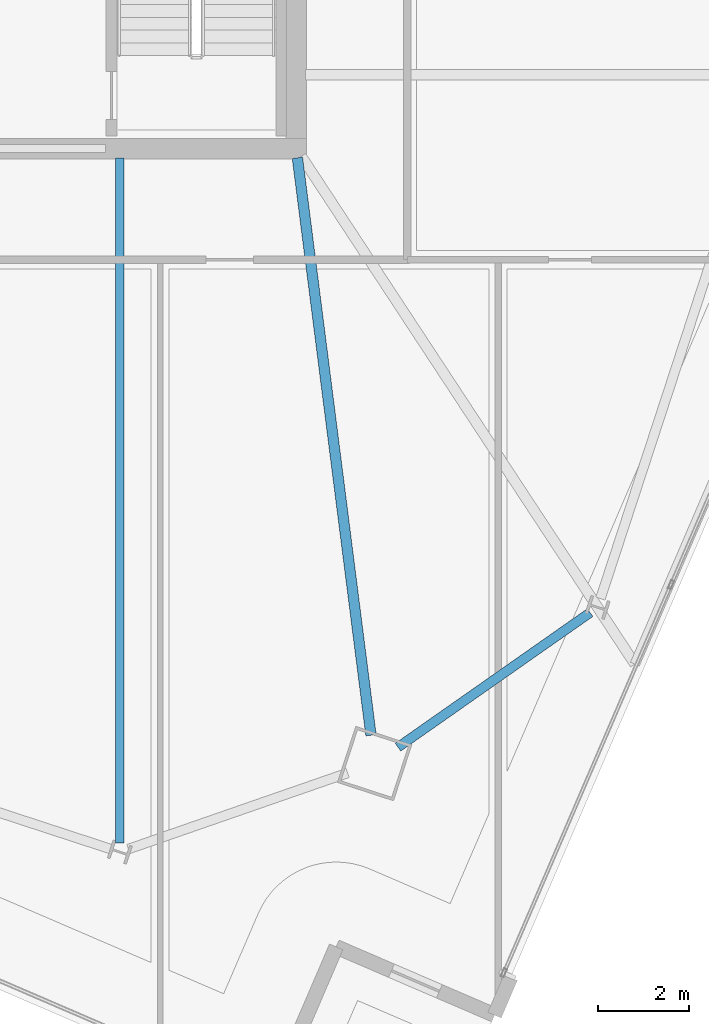
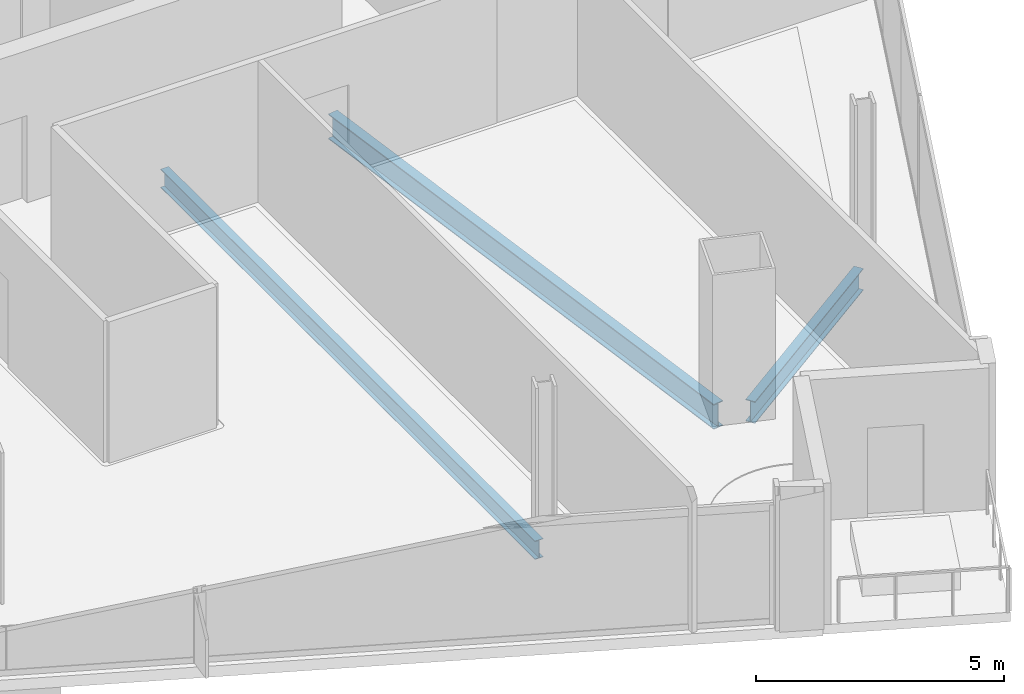
# One storey, part 9 of 28: 3 beams.
"""IFC4 building model written with IfcOpenShell, lengths in metres."""

import ifcopenshell
import ifcopenshell.guid

model = None  # the IFC model being written
_history = None  # IfcOwnerHistory: only IFC2X3 demands one
_inside = {}  # id of a spatial element -> (the spatial element, [elements in it])
_under = {}  # id of a project, library or spatial element -> (it, [spatial elements below it])
_declared = {}  # id of a project -> (the project, [libraries it declares])
_typed = {}  # id of a type object -> (the type object, [elements of that type])
_made_of = {}  # id of a material, layer set ... -> (it, [elements and type objects made of it])


def new_model(schema):
    """Start an empty IFC model of exactly this schema.

    Asked for "IFC4X3", IfcOpenShell would pick the latest addendum, in which some entities
    have other attributes; the version numbers below select the first issue.
    IFC2X3 requires an IfcOwnerHistory on every rooted entity: one is made here for all.
    """
    global model, _history
    if schema == "IFC4X3":
        model = ifcopenshell.file(schema_version=(4, 3, 0, 0))
    else:
        model = ifcopenshell.file(schema=schema)
    _inside.clear()
    _under.clear()
    _declared.clear()
    _typed.clear()
    _made_of.clear()
    _history = None
    if model.schema == "IFC2X3":
        org = make("IfcOrganization", Name="unknown")
        user = make(
            "IfcPersonAndOrganization",
            ThePerson=make("IfcPerson", FamilyName="unknown"),
            TheOrganization=org,
        )
        app = make(
            "IfcApplication",
            ApplicationDeveloper=org,
            Version="unknown",
            ApplicationFullName="unknown",
            ApplicationIdentifier="unknown",
        )
        _history = make(
            "IfcOwnerHistory",
            OwningUser=user,
            OwningApplication=app,
            ChangeAction="ADDED",
            CreationDate=0,
        )
    return model


def make(cls, **values):
    """One entity of the class cls with the attributes given. An attribute that is None is left unset."""
    return model.create_entity(
        cls, **{name: value for name, value in values.items() if value is not None}
    )


def rooted(cls, **values):
    """An entity with a GlobalId (a new one), such as an element, a storey or a relation."""
    return make(cls, GlobalId=ifcopenshell.guid.new(), OwnerHistory=_history, **values)


def si_unit(unit_type, name, prefix=None):
    """IfcSIUnit, for example si_unit("LENGTHUNIT", "METRE", prefix="MILLI")."""
    return make("IfcSIUnit", UnitType=unit_type, Prefix=prefix, Name=name)


def assignment(units):
    """IfcUnitAssignment: the units of a project."""
    return None if units is None else make("IfcUnitAssignment", Units=units)


def point(xyz):
    """IfcCartesianPoint."""
    return None if xyz is None else make("IfcCartesianPoint", Coordinates=xyz)


def direction(xyz):
    """IfcDirection."""
    return None if xyz is None else make("IfcDirection", DirectionRatios=xyz)


def frame(location, z_axis=None, x_axis=None):
    """IfcAxis2Placement3D, a coordinate frame: its origin and axes. An axis left out is left unset."""
    return make(
        "IfcAxis2Placement3D",
        Location=point(location),
        Axis=direction(z_axis),
        RefDirection=direction(x_axis),
    )


def frame_2d(location, x_axis=None):
    """IfcAxis2Placement2D, a coordinate frame in the plane: its origin and x axis."""
    return make(
        "IfcAxis2Placement2D", Location=point(location), RefDirection=direction(x_axis)
    )


def origin():
    """The frame at (0, 0, 0) with its axes left unset."""
    return frame((0.0, 0.0, 0.0))


def origin_2d():
    """The frame at (0, 0) in the plane with its x axis left unset."""
    return frame_2d((0.0, 0.0))


def place(relative_to, where):
    """IfcLocalPlacement: puts the frame where relative to a parent placement (None: the world)."""
    return make(
        "IfcLocalPlacement", PlacementRelTo=relative_to, RelativePlacement=where
    )


def context(
    kind, dimensions, precision=None, world=None, true_north=None, identifier=None
):
    """IfcGeometricRepresentationContext, for example the 3D "Model" context."""
    return make(
        "IfcGeometricRepresentationContext",
        ContextIdentifier=identifier,
        ContextType=kind,
        CoordinateSpaceDimension=dimensions,
        Precision=precision,
        WorldCoordinateSystem=world,
        TrueNorth=true_north,
    )


def subcontext(parent, identifier, kind, view, scale=None):
    """IfcGeometricRepresentationSubContext, for example "Body" below "Model"."""
    return make(
        "IfcGeometricRepresentationSubContext",
        ContextIdentifier=identifier,
        ContextType=kind,
        ParentContext=parent,
        TargetScale=scale,
        TargetView=view,
    )


def project(units=None, contexts=None):
    """IfcProject with its units and contexts."""
    return rooted(
        "IfcProject",
        Name="project",
        RepresentationContexts=contexts,
        UnitsInContext=assignment(units),
    )


def spatial(cls, under=None, at=None, **own):
    """A site, building, storey or space (cls), placed at a placement, below another one or the project."""
    s = rooted(cls, ObjectPlacement=at, **own)
    if under is not None:
        _under.setdefault(under.id(), (under, []))[1].append(s)
    return s


def profile(cls, at=None, kind="AREA", **sizes):
    """A parametric profile (cls). Its sizes go by their IFC names, for example OverallWidth=200.0."""
    return make(cls, ProfileType=kind, Position=at, **sizes)


def i_section(**sizes):
    """IfcIShapeProfileDef."""
    return profile("IfcIShapeProfileDef", **sizes)


def extrude(swept, where, along, depth):
    """IfcExtrudedAreaSolid: the profile swept, set in the frame where, extruded along a direction by depth."""
    return make(
        "IfcExtrudedAreaSolid",
        SweptArea=swept,
        Position=where,
        ExtrudedDirection=direction(along),
        Depth=depth,
    )


def shape(context_of_items, identifier, shape_type, items):
    """IfcShapeRepresentation: the items that make up one representation, for example the "Body"."""
    return make(
        "IfcShapeRepresentation",
        ContextOfItems=context_of_items,
        RepresentationIdentifier=identifier,
        RepresentationType=shape_type,
        Items=items,
    )


def material(Name=None, Category=None):
    """IfcMaterial."""
    return make("IfcMaterial", Name=Name, Category=Category)


def material_profile(
    of_material, cross_section, Name=None, Category=None, Priority=None
):
    """IfcMaterialProfile: a cross section and its material."""
    return make(
        "IfcMaterialProfile",
        Name=Name,
        Material=of_material,
        Profile=cross_section,
        Priority=Priority,
        Category=Category,
    )


def profile_set(profiles, Name=None, composite=None):
    """IfcMaterialProfileSet."""
    return make(
        "IfcMaterialProfileSet",
        Name=Name,
        MaterialProfiles=profiles,
        CompositeProfile=composite,
    )


def made_of(thing, what):
    """Note that an element or type object is made of a material, layer set ...; save() writes the relation."""
    if what is not None:
        _made_of.setdefault(what.id(), (what, []))[1].append(thing)
    return thing


def type_object(cls, material=None, **own):
    """A type object (cls), such as IfcWallType, which elements share."""
    return made_of(rooted(cls, **own), material)


def element(
    cls,
    number,
    at=None,
    inside=None,
    cuts=None,
    type_object=None,
    material=None,
    context=None,
    identifier="Body",
    shape_type=None,
    held_by="IfcProductDefinitionShape",
    body=None,
    shapes=None,
    **own,
):
    """One element of the class cls, such as IfcWall. Its Tag is "e" and its number.

    at: its placement. inside: the storey or other place that contains it. cuts: it is an
    opening in that element (IfcRelVoidsElement). A single representation is given by context,
    identifier, shape_type and body (its items); several are given by shapes. held_by: the class
    of the entity that holds the representations. save() writes the other relations.
    """
    e = rooted(cls, Tag="e%d" % number, ObjectPlacement=at, **own)
    if body is not None:
        shapes = [shape(context, identifier, shape_type, body)]
    if shapes is not None:
        e.Representation = make(held_by, Representations=shapes)
    if inside is not None:
        _inside.setdefault(inside.id(), (inside, []))[1].append(e)
    if cuts is not None:
        rooted(
            "IfcRelVoidsElement", RelatingBuildingElement=cuts, RelatedOpeningElement=e
        )
    if type_object is not None:
        _typed.setdefault(type_object.id(), (type_object, []))[1].append(e)
    return made_of(e, material)


def aggregate(whole, parts):
    """IfcRelAggregates: a whole, such as a stair, and the parts it consists of."""
    return rooted("IfcRelAggregates", RelatingObject=whole, RelatedObjects=parts)


def save(model, path):
    """Write the relations noted so far, then the file.

    IfcRelAggregates (storeys below a building ...), IfcRelContainedInSpatialStructure (elements
    in a storey), IfcRelDefinesByType, IfcRelAssociatesMaterial and IfcRelDeclares: one each for
    every whole, place, type object, material and project.
    """
    for whole, parts in _under.values():
        aggregate(whole, parts)
    for where, things in _inside.values():
        rooted(
            "IfcRelContainedInSpatialStructure",
            RelatedElements=things,
            RelatingStructure=where,
        )
    for kind, things in _typed.values():
        rooted("IfcRelDefinesByType", RelatedObjects=things, RelatingType=kind)
    for what, things in _made_of.values():
        rooted("IfcRelAssociatesMaterial", RelatedObjects=things, RelatingMaterial=what)
    for by, libraries in _declared.values():
        rooted("IfcRelDeclares", RelatingContext=by, RelatedDefinitions=libraries)
    model.write(path)


model = new_model("IFC4")

# Units and contexts
model_context = context("Model", 3, precision=1e-05, world=origin(), true_north=direction((0.0, 1.0)))
body_context = subcontext(model_context, "Body", "Model", "MODEL_VIEW")
ifc_project = project(units=[si_unit("LENGTHUNIT", "METRE"), si_unit("AREAUNIT", "SQUARE_METRE"), si_unit("VOLUMEUNIT", "CUBIC_METRE"), si_unit("PLANEANGLEUNIT", "RADIAN"), si_unit("MASSUNIT", "GRAM", prefix="KILO")], contexts=[model_context])

# Site, building, storey
site_placement = place(None, origin())
site = spatial("IfcSite", under=ifc_project, at=site_placement, CompositionType="ELEMENT")
building_placement = place(site_placement, origin())
building = spatial("IfcBuilding", under=site, at=building_placement, Name="Haldenkirk Collegiate Tower", CompositionType="ELEMENT")
storey_placement = place(building_placement, frame((0.0, 0.0, 252.449951171875)))
storey = spatial("IfcBuildingStorey", under=building, at=storey_placement, Name="L63", CompositionType="ELEMENT", Elevation=252.449951171875)

# Beams
ifc_material = material(Name="Steel ASTM A992 Grade 50", Category="steel")
ifc_material_profile_1 = material_profile(ifc_material, i_section(OverallWidth=0.22998046875, OverallDepth=0.616943359375, WebThickness=0.01318359375, FlangeThickness=0.022216796875, at=origin_2d()), Name="W24X94")
ifc_profile_set_1 = profile_set([ifc_material_profile_1], Name="Steel ASTM A992 Grade 50")
beam_type_1 = type_object("IfcBeamType", Name="BM-GIRDER-W24X94", PredefinedType="BEAM", material=ifc_profile_set_1)
beam_1_placement = place(storey_placement, frame((46.6484375, 5.0693359375, -0.578369140625), z_axis=(-0.126462976839, 0.991971327957, 0.0), x_axis=(-0.991971327957, -0.126462976839, 0.0)))
element("IfcBeam", 1, at=beam_1_placement, inside=storey, type_object=beam_type_1, Name="L63 primary floor girder 01", PredefinedType="BEAM", context=body_context, shape_type="SweptSolid", body=[
    extrude(i_section(OverallWidth=0.22998046875, OverallDepth=0.616943359375, WebThickness=0.01318359375, FlangeThickness=0.022216796875, at=origin_2d()), origin(), (0.0, 0.0, 1.0), 12.830322265625),
])
ifc_material_profile_2 = material_profile(ifc_material, i_section(OverallWidth=0.18994140625, OverallDepth=0.45703125, WebThickness=0.009033203125, FlangeThickness=0.014404296875, at=origin_2d()), Name="W18X50")
ifc_profile_set_2 = profile_set([ifc_material_profile_2], Name="Steel ASTM A992 Grade 50")
beam_type_2 = type_object("IfcBeamType", Name="BM-JOIST-W18X50", PredefinedType="JOIST", material=ifc_profile_set_2)
beam_2_placement = place(storey_placement, frame((41.111083984375, 2.697265625, -0.49853515625), z_axis=(0.0, 1.0, 0.0), x_axis=(-1.0, 0.0, 0.0)))
element("IfcBeam", 2, at=beam_2_placement, inside=storey, type_object=beam_type_2, Name="L63 composite floor joist 16", PredefinedType="JOIST", context=body_context, shape_type="SweptSolid", body=[
    extrude(i_section(OverallWidth=0.18994140625, OverallDepth=0.45703125, WebThickness=0.009033203125, FlangeThickness=0.014404296875, at=origin_2d()), origin(), (0.0, 0.0, 1.0), 15.09765625),
])
ifc_material_profile_3 = material_profile(ifc_material, i_section(OverallWidth=0.2099609375, OverallDepth=0.537109375, WebThickness=0.010986328125, FlangeThickness=0.017333984375, at=origin_2d()), Name="W21X68")
ifc_profile_set_3 = profile_set([ifc_material_profile_3], Name="Steel ASTM A992 Grade 50")
beam_type_3 = type_object("IfcBeamType", Name="BM-SPANDREL-W21X68", PredefinedType="SPANDREL", material=ifc_profile_set_3)
beam_3_placement = place(storey_placement, frame((47.243896484375, 4.805908203125, -0.538330078125), z_axis=(0.818943373955, 0.573874333156, 0.0), x_axis=(-0.573874333156, 0.818943373955, 0.0)))
element("IfcBeam", 3, at=beam_3_placement, inside=storey, type_object=beam_type_3, Name="L63 perimeter spandrel beam 01", PredefinedType="SPANDREL", context=body_context, shape_type="SweptSolid", body=[
    extrude(i_section(OverallWidth=0.2099609375, OverallDepth=0.537109375, WebThickness=0.010986328125, FlangeThickness=0.017333984375, at=origin_2d()), origin(), (0.0, 0.0, 1.0), 5.16943359375),
])

save(model, "model.ifc")
